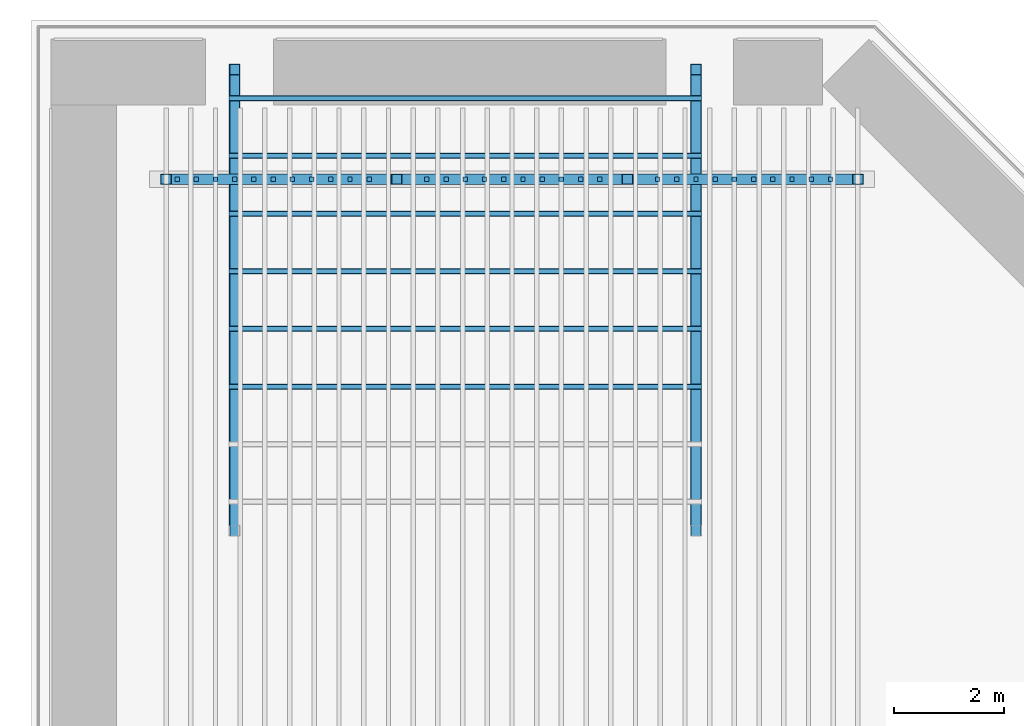
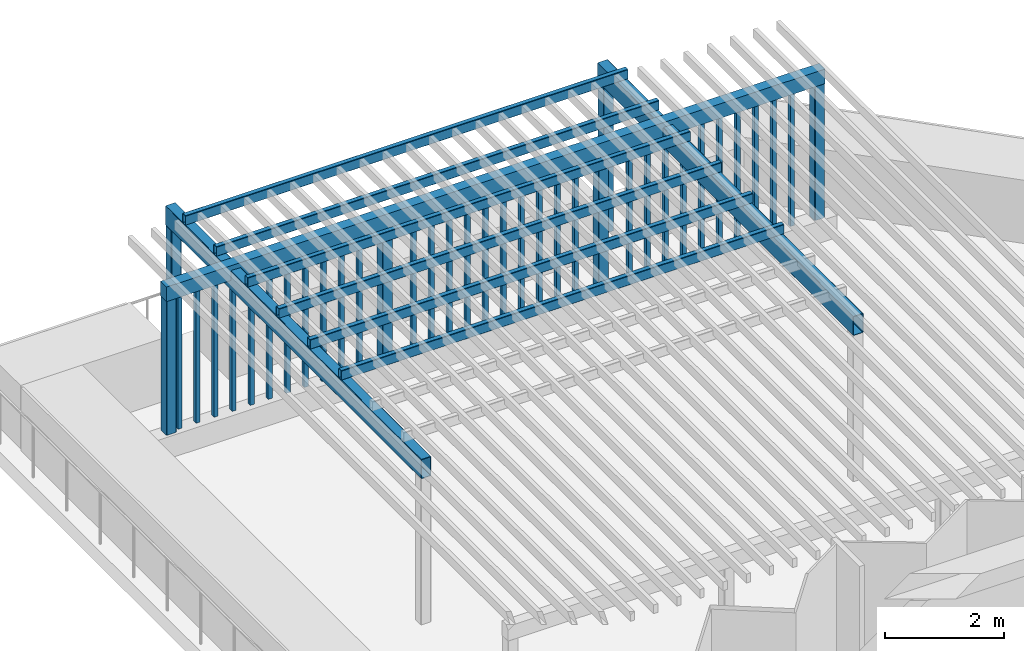
# One storey, part 5 of 15: 46 members.
"""IFC4 building model written with IfcOpenShell, lengths in metres."""

from ifc_helpers import new_model, si_unit, direction, frame, origin, origin_2d, place, context, subcontext, project, spatial, rectangle, hollow_rectangle, extrude, material, material_profile, profile_set, type_object, element, save


model = new_model("IFC4")

# Units and contexts
model_context = context("Model", 3, precision=1e-05, world=origin(), true_north=direction((0.0, 1.0)))
body_context = subcontext(model_context, "Body", "Model", "MODEL_VIEW")
ifc_project = project(units=[si_unit("LENGTHUNIT", "METRE"), si_unit("AREAUNIT", "SQUARE_METRE"), si_unit("VOLUMEUNIT", "CUBIC_METRE"), si_unit("PLANEANGLEUNIT", "RADIAN"), si_unit("MASSUNIT", "GRAM", prefix="KILO")], contexts=[model_context])

# Site, building, storey
site_placement = place(None, origin())
site = spatial("IfcSite", under=ifc_project, at=site_placement, CompositionType="ELEMENT")
building_placement = place(site_placement, origin())
building = spatial("IfcBuilding", under=site, at=building_placement, Name="Brevane Broadcast Tower", CompositionType="ELEMENT")
storey_placement = place(building_placement, frame((0.0, 0.0, 206.39990234375)))
storey = spatial("IfcBuildingStorey", under=building, at=storey_placement, Name="L52", CompositionType="ELEMENT", Elevation=206.39990234375)

# Members
ifc_material_1 = material(Name="Steel S355", Category="steel")
ifc_material_profile_1 = material_profile(ifc_material_1, hollow_rectangle(XDim=0.199951171875, YDim=0.39990234375, WallThickness=0.010009765625, InnerFilletRadius=0.010009765625, OuterFilletRadius=0.02001953125, at=origin_2d()), Name="RHS 400x200x10")
ifc_profile_set_1 = profile_set([ifc_material_profile_1], Name="Steel S355")
member_type_1 = type_object("IfcMemberType", Name="Sky garden pergola beam RHS 400x200x10 S355", PredefinedType="USERDEFINED", material=ifc_profile_set_1)
for number, where, z_axis, x_axis, name in (
    (1, (8.39990234375, 41.89990234375, 3.2001953125), (0.0, 1.0, 0.0), (-1.0, 0.0, 0.0), "Sky garden pergola beam L52-1"),
    (2, (16.800048828125, 41.89990234375, 3.2001953125), (0.0, 1.0, 0.0), (-1.0, 0.0, 0.0), "Sky garden pergola beam L52-2"),
):
    element("IfcMember", number, at=place(storey_placement, frame(where, z_axis=z_axis, x_axis=x_axis)), inside=storey, type_object=member_type_1, Name=name, ObjectType="PERGOLA BEAM", PredefinedType="USERDEFINED", context=body_context, shape_type="SweptSolid", body=[
        extrude(hollow_rectangle(XDim=0.199951171875, YDim=0.39990234375, WallThickness=0.010009765625, InnerFilletRadius=0.010009765625, OuterFilletRadius=0.02001953125, at=origin_2d()), origin(), (0.0, 0.0, 1.0), 8.60009765625),
    ])
ifc_material_profile_2 = material_profile(ifc_material_1, hollow_rectangle(XDim=0.199951171875, YDim=0.199951171875, WallThickness=0.010009765625, InnerFilletRadius=0.010009765625, OuterFilletRadius=0.02001953125, at=origin_2d()), Name="RHS 200x200x10")
ifc_profile_set_2 = profile_set([ifc_material_profile_2], Name="Steel S355")
member_type_2 = type_object("IfcMemberType", Name="Sky garden pergola post RHS 200x200x10 S355", PredefinedType="POST", material=ifc_profile_set_2)
for number, where, z_axis, x_axis, name in (
    (3, (8.39990234375, 50.39990234375, 0.0), (0.0, 0.0, 1.0), (1.0, 0.0, 0.0), "Sky garden pergola post L52-2"),
    (4, (16.800048828125, 50.39990234375, 0.0), (0.0, 0.0, 1.0), (1.0, 0.0, 0.0), "Sky garden pergola post L52-4"),
):
    element("IfcMember", number, at=place(storey_placement, frame(where, z_axis=z_axis, x_axis=x_axis)), inside=storey, type_object=member_type_2, Name=name, PredefinedType="POST", context=body_context, shape_type="SweptSolid", body=[
        extrude(hollow_rectangle(XDim=0.199951171875, YDim=0.199951171875, WallThickness=0.010009765625, InnerFilletRadius=0.010009765625, OuterFilletRadius=0.02001953125, at=origin_2d()), origin(), (0.0, 0.0, 1.0), 3.0),
    ])
for number, where, z_axis, x_axis, name in (
    (5, (7.14990234375, 48.39990234375, 0.4501953125), (0.0, 0.0, 1.0), (1.0, 0.0, 0.0), "Sky garden trellis post L52-5"),
    (6, (11.35009765625, 48.39990234375, 0.4501953125), (0.0, 0.0, 1.0), (1.0, 0.0, 0.0), "Sky garden trellis post L52-6"),
    (7, (15.550048828125, 48.39990234375, 0.4501953125), (0.0, 0.0, 1.0), (1.0, 0.0, 0.0), "Sky garden trellis post L52-7"),
    (8, (19.75, 48.39990234375, 0.4501953125), (0.0, 0.0, 1.0), (1.0, 0.0, 0.0), "Sky garden trellis post L52-8"),
):
    element("IfcMember", number, at=place(storey_placement, frame(where, z_axis=z_axis, x_axis=x_axis)), inside=storey, type_object=member_type_2, Name=name, PredefinedType="POST", context=body_context, shape_type="SweptSolid", body=[
        extrude(hollow_rectangle(XDim=0.199951171875, YDim=0.199951171875, WallThickness=0.010009765625, InnerFilletRadius=0.010009765625, OuterFilletRadius=0.02001953125, at=origin_2d()), origin(), (0.0, 0.0, 1.0), 2.75),
    ])
ifc_material_profile_3 = material_profile(ifc_material_1, hollow_rectangle(XDim=0.10009765625, YDim=0.199951171875, WallThickness=0.008056640625, InnerFilletRadius=0.008056640625, OuterFilletRadius=0.01611328125, at=origin_2d()), Name="RHS 200x100x8")
ifc_profile_set_3 = profile_set([ifc_material_profile_3], Name="Steel S355")
member_type_3 = type_object("IfcMemberType", Name="Sky garden pergola rafter RHS 200x100x8 S355", PredefinedType="USERDEFINED", material=ifc_profile_set_3)
for number, where, z_axis, x_axis, name in (
    (9, (8.300048828125, 44.625, 3.5), (1.0, 0.0, 0.0), (0.0, 1.0, 0.0), "Sky garden pergola rafter L52-3"),
    (10, (8.300048828125, 45.675048828125, 3.5), (1.0, 0.0, 0.0), (0.0, 1.0, 0.0), "Sky garden pergola rafter L52-4"),
    (11, (8.300048828125, 46.72509765625, 3.5), (1.0, 0.0, 0.0), (0.0, 1.0, 0.0), "Sky garden pergola rafter L52-5"),
    (12, (8.300048828125, 47.77490234375, 3.5), (1.0, 0.0, 0.0), (0.0, 1.0, 0.0), "Sky garden pergola rafter L52-6"),
    (13, (8.300048828125, 48.824951171875, 3.5), (1.0, 0.0, 0.0), (0.0, 1.0, 0.0), "Sky garden pergola rafter L52-7"),
    (14, (8.300048828125, 49.875, 3.5), (1.0, 0.0, 0.0), (0.0, 1.0, 0.0), "Sky garden pergola rafter L52-8"),
):
    element("IfcMember", number, at=place(storey_placement, frame(where, z_axis=z_axis, x_axis=x_axis)), inside=storey, type_object=member_type_3, Name=name, ObjectType="PERGOLA RAFTER", PredefinedType="USERDEFINED", context=body_context, shape_type="SweptSolid", body=[
        extrude(hollow_rectangle(XDim=0.10009765625, YDim=0.199951171875, WallThickness=0.008056640625, InnerFilletRadius=0.008056640625, OuterFilletRadius=0.01611328125, at=origin_2d()), origin(), (0.0, 0.0, 1.0), 8.599853515625),
    ])
ifc_material_2 = material(Name="Glulam GL28h", Category="wood")
ifc_material_profile_4 = material_profile(ifc_material_2, rectangle(XDim=0.199951171875, YDim=0.300048828125, at=origin_2d()), Name="RECT 200x300")
ifc_profile_set_4 = profile_set([ifc_material_profile_4], Name="Glulam GL28h")
member_type_4 = type_object("IfcMemberType", Name="Sky garden trellis beam glulam 200x300 GL28h", PredefinedType="USERDEFINED", material=ifc_profile_set_4)
member_placement = place(storey_placement, frame((7.050048828125, 48.39990234375, 3.35009765625), z_axis=(1.0, 0.0, 0.0), x_axis=(0.0, 1.0, 0.0)))
element("IfcMember", 15, at=member_placement, inside=storey, type_object=member_type_4, Name="Sky garden trellis beam L52-2", ObjectType="TRELLIS BEAM", PredefinedType="USERDEFINED", context=body_context, shape_type="SweptSolid", body=[
    extrude(rectangle(XDim=0.199951171875, YDim=0.300048828125, at=origin_2d()), origin(), (0.0, 0.0, 1.0), 12.800048828125),
])
ifc_material_profile_5 = material_profile(ifc_material_2, rectangle(XDim=0.080078125, YDim=0.080078125, at=origin_2d()), Name="RECT 80x80")
ifc_profile_set_5 = profile_set([ifc_material_profile_5], Name="Glulam GL28h")
member_type_5 = type_object("IfcMemberType", Name="Sky garden trellis slat glulam 80x80 GL28h", PredefinedType="USERDEFINED", material=ifc_profile_set_5)
for number, where, z_axis, x_axis, name in (
    (16, (7.35009765625, 48.39990234375, 0.4501953125), (0.0, 0.0, 1.0), (1.0, 0.0, 0.0), "Sky garden trellis slat L52-1"),
    (17, (7.699951171875, 48.39990234375, 0.4501953125), (0.0, 0.0, 1.0), (1.0, 0.0, 0.0), "Sky garden trellis slat L52-2"),
    (18, (8.050048828125, 48.39990234375, 0.4501953125), (0.0, 0.0, 1.0), (1.0, 0.0, 0.0), "Sky garden trellis slat L52-3"),
    (19, (8.39990234375, 48.39990234375, 0.4501953125), (0.0, 0.0, 1.0), (1.0, 0.0, 0.0), "Sky garden trellis slat L52-4"),
    (20, (8.75, 48.39990234375, 0.4501953125), (0.0, 0.0, 1.0), (1.0, 0.0, 0.0), "Sky garden trellis slat L52-5"),
    (21, (9.10009765625, 48.39990234375, 0.4501953125), (0.0, 0.0, 1.0), (1.0, 0.0, 0.0), "Sky garden trellis slat L52-6"),
    (22, (9.449951171875, 48.39990234375, 0.4501953125), (0.0, 0.0, 1.0), (1.0, 0.0, 0.0), "Sky garden trellis slat L52-7"),
    (23, (9.800048828125, 48.39990234375, 0.4501953125), (0.0, 0.0, 1.0), (1.0, 0.0, 0.0), "Sky garden trellis slat L52-8"),
    (24, (10.14990234375, 48.39990234375, 0.4501953125), (0.0, 0.0, 1.0), (1.0, 0.0, 0.0), "Sky garden trellis slat L52-9"),
    (25, (10.5, 48.39990234375, 0.4501953125), (0.0, 0.0, 1.0), (1.0, 0.0, 0.0), "Sky garden trellis slat L52-10"),
    (26, (10.85009765625, 48.39990234375, 0.4501953125), (0.0, 0.0, 1.0), (1.0, 0.0, 0.0), "Sky garden trellis slat L52-11"),
    (27, (11.89990234375, 48.39990234375, 0.4501953125), (0.0, 0.0, 1.0), (1.0, 0.0, 0.0), "Sky garden trellis slat L52-12"),
    (28, (12.25, 48.39990234375, 0.4501953125), (0.0, 0.0, 1.0), (1.0, 0.0, 0.0), "Sky garden trellis slat L52-13"),
    (29, (12.60009765625, 48.39990234375, 0.4501953125), (0.0, 0.0, 1.0), (1.0, 0.0, 0.0), "Sky garden trellis slat L52-14"),
    (30, (12.949951171875, 48.39990234375, 0.4501953125), (0.0, 0.0, 1.0), (1.0, 0.0, 0.0), "Sky garden trellis slat L52-15"),
    (31, (13.300048828125, 48.39990234375, 0.4501953125), (0.0, 0.0, 1.0), (1.0, 0.0, 0.0), "Sky garden trellis slat L52-16"),
    (32, (13.64990234375, 48.39990234375, 0.4501953125), (0.0, 0.0, 1.0), (1.0, 0.0, 0.0), "Sky garden trellis slat L52-17"),
    (33, (14.0, 48.39990234375, 0.4501953125), (0.0, 0.0, 1.0), (1.0, 0.0, 0.0), "Sky garden trellis slat L52-18"),
    (34, (14.35009765625, 48.39990234375, 0.4501953125), (0.0, 0.0, 1.0), (1.0, 0.0, 0.0), "Sky garden trellis slat L52-19"),
    (35, (14.699951171875, 48.39990234375, 0.4501953125), (0.0, 0.0, 1.0), (1.0, 0.0, 0.0), "Sky garden trellis slat L52-20"),
    (36, (15.050048828125, 48.39990234375, 0.4501953125), (0.0, 0.0, 1.0), (1.0, 0.0, 0.0), "Sky garden trellis slat L52-21"),
    (37, (16.10009765625, 48.39990234375, 0.4501953125), (0.0, 0.0, 1.0), (1.0, 0.0, 0.0), "Sky garden trellis slat L52-22"),
    (38, (16.449951171875, 48.39990234375, 0.4501953125), (0.0, 0.0, 1.0), (1.0, 0.0, 0.0), "Sky garden trellis slat L52-23"),
    (39, (16.800048828125, 48.39990234375, 0.4501953125), (0.0, 0.0, 1.0), (1.0, 0.0, 0.0), "Sky garden trellis slat L52-24"),
    (40, (17.14990234375, 48.39990234375, 0.4501953125), (0.0, 0.0, 1.0), (1.0, 0.0, 0.0), "Sky garden trellis slat L52-25"),
    (41, (17.5, 48.39990234375, 0.4501953125), (0.0, 0.0, 1.0), (1.0, 0.0, 0.0), "Sky garden trellis slat L52-26"),
    (42, (17.85009765625, 48.39990234375, 0.4501953125), (0.0, 0.0, 1.0), (1.0, 0.0, 0.0), "Sky garden trellis slat L52-27"),
    (43, (18.199951171875, 48.39990234375, 0.4501953125), (0.0, 0.0, 1.0), (1.0, 0.0, 0.0), "Sky garden trellis slat L52-28"),
    (44, (18.550048828125, 48.39990234375, 0.4501953125), (0.0, 0.0, 1.0), (1.0, 0.0, 0.0), "Sky garden trellis slat L52-29"),
    (45, (18.89990234375, 48.39990234375, 0.4501953125), (0.0, 0.0, 1.0), (1.0, 0.0, 0.0), "Sky garden trellis slat L52-30"),
    (46, (19.25, 48.39990234375, 0.4501953125), (0.0, 0.0, 1.0), (1.0, 0.0, 0.0), "Sky garden trellis slat L52-31"),
):
    element("IfcMember", number, at=place(storey_placement, frame(where, z_axis=z_axis, x_axis=x_axis)), inside=storey, type_object=member_type_5, Name=name, ObjectType="TRELLIS SLAT", PredefinedType="USERDEFINED", context=body_context, shape_type="SweptSolid", body=[
        extrude(rectangle(XDim=0.080078125, YDim=0.080078125, at=origin_2d()), origin(), (0.0, 0.0, 1.0), 2.75),
    ])

save(model, "model.ifc")
